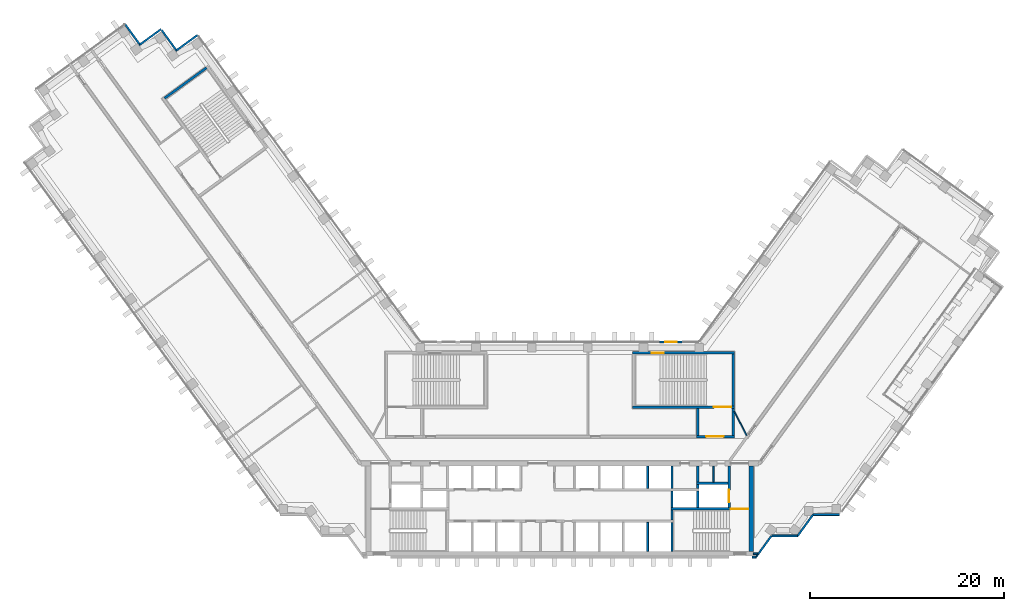
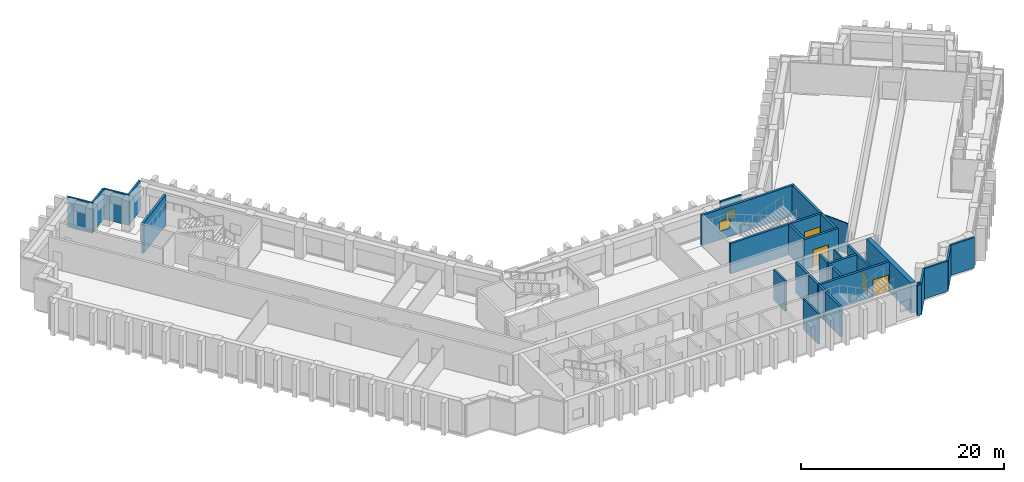
# One storey, part 9 of 14: 33 walls, 4 doors, 2 windows, 6 openings.
"""IFC4 building model written with IfcOpenShell, lengths in metres."""

from ifc_helpers import new_model, si_unit, direction, frame, frame_2d, origin, place, context, subcontext, project, spatial, rectangle, extrude, material, layer, layer_set, type_object, element, fill, save


model = new_model("IFC4")

# Units and contexts
model_context = context("Model", 3, precision=1e-05, world=origin(), true_north=direction((0.0, 1.0)))
body_context = subcontext(model_context, "Body", "Model", "MODEL_VIEW")
ifc_project = project(units=[si_unit("LENGTHUNIT", "METRE"), si_unit("AREAUNIT", "SQUARE_METRE"), si_unit("VOLUMEUNIT", "CUBIC_METRE"), si_unit("PLANEANGLEUNIT", "RADIAN"), si_unit("MASSUNIT", "GRAM", prefix="KILO")], contexts=[model_context])

# Site, building, storey
site_placement = place(None, origin())
site = spatial("IfcSite", under=ifc_project, at=site_placement, CompositionType="ELEMENT")
building_placement = place(site_placement, origin())
building = spatial("IfcBuilding", under=site, at=building_placement, Name="Quipu Civic Tower", CompositionType="ELEMENT")
storey_placement = place(building_placement, frame((0.0, 0.0, 93.0)))
storey = spatial("IfcBuildingStorey", under=building, at=storey_placement, Name="L21", CompositionType="ELEMENT", Elevation=93.0)

# Walls
ifc_material_1 = material(Name="Concrete C70/85", Category="concrete")
ifc_layer_1 = layer(ifc_material_1, 0.25)
ifc_layer_set_1 = layer_set([ifc_layer_1], Name="Concrete C70/85")
wall_type_1 = type_object("IfcWallType", Name="Core wall 250", PredefinedType="SHEAR", material=ifc_layer_set_1)
wall_1_placement = place(storey_placement, frame((11.574951171875, -10.5, 0.0), z_axis=(0.0, 0.0, 1.0), x_axis=(0.0, 1.0, 0.0)))
element("IfcWall", 1, at=wall_1_placement, inside=storey, type_object=wall_type_1, Name="Core wall", PredefinedType="SHEAR", context=body_context, shape_type="SweptSolid", body=[
    extrude(rectangle(XDim=3.0, YDim=0.25, at=frame_2d((1.5, 0.0))), origin(), (0.0, 0.0, 1.0), 3.64990234375),
])
wall_2_placement = place(storey_placement, frame((11.574951171875, -7.25, 0.0), z_axis=(0.0, 0.0, 1.0), x_axis=(0.0, 1.0, 0.0)))
element("IfcWall", 2, at=wall_2_placement, inside=storey, type_object=wall_type_1, Name="Core wall", PredefinedType="SHEAR", context=body_context, shape_type="SweptSolid", body=[
    extrude(rectangle(XDim=1.0, YDim=0.25, at=frame_2d((0.5, 0.0))), origin(), (0.0, 0.0, 1.0), 3.64990234375),
])

# Wall, opening, door
wall_3_placement = place(storey_placement, frame((19.5, -6.125, 0.0), z_axis=(0.0, 0.0, 1.0), x_axis=(-1.0, 0.0, 0.0)))
wall_3 = element("IfcWall", 3, at=wall_3_placement, inside=storey, type_object=wall_type_1, Name="Core wall", PredefinedType="SHEAR", context=body_context, shape_type="SweptSolid", body=[
    extrude(rectangle(XDim=8.050048828125, YDim=0.25, at=frame_2d((4.02490234375, 0.0))), origin(), (0.0, 0.0, 1.0), 3.64990234375),
])
opening_1_placement = place(wall_3_placement, frame((0.050048828125, 0.0, 0.0)))
opening_1 = element("IfcOpeningElement", 4, at=opening_1_placement, cuts=wall_3, Name="Opening CD-05", PredefinedType="OPENING", context=body_context, shape_type="SweptSolid", body=[
    extrude(rectangle(XDim=1.800048828125, YDim=2.10009765625, at=frame_2d((0.89990234375, 1.050048828125))), frame((0.0, 0.135009765625, 0.0), z_axis=(0.0, -1.0, 0.0), x_axis=(1.0, 0.0, 0.0)), (0.0, 0.0, 1.0), 0.27001953125),
])
ifc_material_2 = material(Name="Fire rated steel door", Category="steel")
door_type_1 = type_object("IfcDoorType", Name="Fire door FD90 double 1800 x 2100", OperationType="NOTDEFINED", PredefinedType="DOOR", material=ifc_material_2)
door_1_placement = place(opening_1_placement, origin())
door_1 = element("IfcDoor", 5, at=door_1_placement, inside=storey, type_object=door_type_1, Name="Door", OperationType="DOUBLE_DOOR_SINGLE_SWING", OverallHeight=2.10009765625, OverallWidth=1.800048828125, PredefinedType="DOOR", context=body_context, shape_type="SweptSolid", body=[
    extrude(rectangle(XDim=1.800048828125, YDim=2.10009765625, at=frame_2d((0.89990234375, 1.050048828125))), frame((0.0, 0.02490234375, 0.0), z_axis=(0.0, -1.0, 0.0), x_axis=(1.0, 0.0, 0.0)), (0.0, 0.0, 1.0), 0.050048828125),
])
fill(opening_1, door_1)

# Walls
for number, where, z_axis, x_axis, name in (
    (6, (11.574951171875, -6.0, 0.0), (0.0, 0.0, 1.0), (0.0, 1.0, 0.0), "Core wall"),
    (7, (14.22509765625, -6.0, 0.0), (0.0, 0.0, 1.0), (0.0, 1.0, 0.0), "Core wall"),
):
    element("IfcWall", number, at=place(storey_placement, frame(where, z_axis=z_axis, x_axis=x_axis)), inside=storey, type_object=wall_type_1, Name=name, PredefinedType="SHEAR", context=body_context, shape_type="SweptSolid", body=[
        extrude(rectangle(XDim=1.75, YDim=0.25, at=frame_2d((0.875, 0.0))), origin(), (0.0, 0.0, 1.0), 3.64990234375),
    ])

# Wall, opening, door
wall_4_placement = place(storey_placement, frame((17.47509765625, -6.0, 0.0), z_axis=(0.0, 0.0, 1.0), x_axis=(0.0, 1.0, 0.0)))
wall_4 = element("IfcWall", 8, at=wall_4_placement, inside=storey, type_object=wall_type_1, Name="Core wall", PredefinedType="SHEAR", context=body_context, shape_type="SweptSolid", body=[
    extrude(rectangle(XDim=4.300048828125, YDim=0.25, at=frame_2d((2.14990234375, 0.0))), origin(), (0.0, 0.0, 1.0), 3.64990234375),
])
opening_2_placement = place(wall_4_placement, frame((0.550048828125, 0.0, 0.0)))
opening_2 = element("IfcOpeningElement", 9, at=opening_2_placement, cuts=wall_4, Name="Opening LD-FF2", PredefinedType="OPENING", context=body_context, shape_type="SweptSolid", body=[
    extrude(rectangle(XDim=1.300048828125, YDim=2.10009765625, at=frame_2d((0.64990234375, 1.050048828125))), frame((0.0, 0.135009765625, 0.0), z_axis=(0.0, -1.0, 0.0), x_axis=(1.0, 0.0, 0.0)), (0.0, 0.0, 1.0), 0.27001953125),
])
ifc_material_3 = material(Name="Stainless steel", Category="steel")
door_type_2 = type_object("IfcDoorType", Name="Lift landing door 1300 x 2100", OperationType="DOUBLE_DOOR_SLIDING", PredefinedType="DOOR", material=ifc_material_3)
door_2_placement = place(opening_2_placement, origin())
door_2 = element("IfcDoor", 10, at=door_2_placement, inside=storey, type_object=door_type_2, Name="Landing door FF2", OperationType="DOUBLE_DOOR_SLIDING", OverallHeight=2.10009765625, OverallWidth=1.300048828125, PredefinedType="DOOR", context=body_context, shape_type="SweptSolid", body=[
    extrude(rectangle(XDim=1.300048828125, YDim=2.10009765625, at=frame_2d((0.64990234375, 1.050048828125))), frame((0.0, 0.02490234375, 0.0), z_axis=(0.0, -1.0, 0.0), x_axis=(1.0, 0.0, 0.0)), (0.0, 0.0, 1.0), 0.050048828125),
])
fill(opening_2, door_2)

# Walls
wall_5_placement = place(storey_placement, frame((11.574951171875, -4.0, 0.0), z_axis=(0.0, 0.0, 1.0), x_axis=(0.0, 1.0, 0.0)))
element("IfcWall", 11, at=wall_5_placement, inside=storey, type_object=wall_type_1, Name="Core wall", PredefinedType="SHEAR", context=body_context, shape_type="SweptSolid", body=[
    extrude(rectangle(XDim=2.300048828125, YDim=0.25, at=frame_2d((1.14990234375, 0.0))), origin(), (0.0, 0.0, 1.0), 3.64990234375),
])
wall_6_placement = place(storey_placement, frame((14.22509765625, -4.0, 0.0), z_axis=(0.0, 0.0, 1.0), x_axis=(0.0, 1.0, 0.0)))
element("IfcWall", 12, at=wall_6_placement, inside=storey, type_object=wall_type_1, Name="Core wall", PredefinedType="SHEAR", context=body_context, shape_type="SweptSolid", body=[
    extrude(rectangle(XDim=0.39990234375, YDim=0.25, at=frame_2d((0.199951171875, 0.0))), origin(), (0.0, 0.0, 1.0), 3.64990234375),
])
wall_7_placement = place(storey_placement, frame((14.10009765625, -3.47509765625, 0.0), z_axis=(0.0, 0.0, 1.0), x_axis=(1.0, 0.0, 0.0)))
element("IfcWall", 13, at=wall_7_placement, inside=storey, type_object=wall_type_1, Name="Core wall", PredefinedType="SHEAR", context=body_context, shape_type="SweptSolid", body=[
    extrude(rectangle(XDim=3.25, YDim=0.25, at=frame_2d((1.625, 0.0))), origin(), (0.0, 0.0, 1.0), 3.64990234375),
])
wall_8_placement = place(storey_placement, frame((14.22509765625, -3.35009765625, 0.0), z_axis=(0.0, 0.0, 1.0), x_axis=(0.0, 1.0, 0.0)))
element("IfcWall", 14, at=wall_8_placement, inside=storey, type_object=wall_type_1, Name="Core wall", PredefinedType="SHEAR", context=body_context, shape_type="SweptSolid", body=[
    extrude(rectangle(XDim=1.650146484375, YDim=0.25, at=frame_2d((0.8251953125, 0.0))), origin(), (0.0, 0.0, 1.0), 3.64990234375),
])

# Wall, opening, door
wall_9_placement = place(storey_placement, frame((14.10009765625, 1.324951171875, 0.0), z_axis=(0.0, 0.0, 1.0), x_axis=(1.0, 0.0, 0.0)))
wall_9 = element("IfcWall", 15, at=wall_9_placement, inside=storey, type_object=wall_type_1, Name="Core wall", PredefinedType="SHEAR", context=body_context, shape_type="SweptSolid", body=[
    extrude(rectangle(XDim=3.89990234375, YDim=0.25, at=frame_2d((1.949951171875, 0.0))), origin(), (0.0, 0.0, 1.0), 3.64990234375),
])
opening_3_placement = place(wall_9_placement, frame((1.0, 0.0, 0.0)))
opening_3 = element("IfcOpeningElement", 16, at=opening_3_placement, cuts=wall_9, Name="Opening CD-17", PredefinedType="OPENING", context=body_context, shape_type="SweptSolid", body=[
    extrude(rectangle(XDim=1.800048828125, YDim=2.10009765625, at=frame_2d((0.89990234375, 1.050048828125))), frame((0.0, 0.135009765625, 0.0), z_axis=(0.0, -1.0, 0.0), x_axis=(1.0, 0.0, 0.0)), (0.0, 0.0, 1.0), 0.27001953125),
])
door_3_placement = place(opening_3_placement, origin())
door_3 = element("IfcDoor", 17, at=door_3_placement, inside=storey, type_object=door_type_1, Name="Lobby door", OperationType="DOUBLE_DOOR_SINGLE_SWING", OverallHeight=2.10009765625, OverallWidth=1.800048828125, PredefinedType="DOOR", context=body_context, shape_type="SweptSolid", body=[
    extrude(rectangle(XDim=1.800048828125, YDim=2.10009765625, at=frame_2d((0.89990234375, 1.050048828125))), frame((0.0, 0.02490234375, 0.0), z_axis=(0.0, -1.0, 0.0), x_axis=(1.0, 0.0, 0.0)), (0.0, 0.0, 1.0), 0.050048828125),
])
fill(opening_3, door_3)

# Walls
for number, where, z_axis, x_axis, name in (
    (18, (14.22509765625, 1.449951171875, 0.0), (0.0, 0.0, 1.0), (0.0, 1.0, 0.0), "Core wall"),
    (19, (17.875, 1.449951171875, 0.0), (0.0, 0.0, 1.0), (0.0, 1.0, 0.0), "Core wall"),
):
    element("IfcWall", number, at=place(storey_placement, frame(where, z_axis=z_axis, x_axis=x_axis)), inside=storey, type_object=wall_type_1, Name=name, PredefinedType="SHEAR", context=body_context, shape_type="SweptSolid", body=[
        extrude(rectangle(XDim=2.800048828125, YDim=0.25, at=frame_2d((1.39990234375, 0.0))), origin(), (0.0, 0.0, 1.0), 3.64990234375),
    ])

# Wall, opening, door
wall_10_placement = place(storey_placement, frame((7.5, 4.375, 0.0), z_axis=(0.0, 0.0, 1.0), x_axis=(1.0, 0.0, 0.0)))
wall_10 = element("IfcWall", 20, at=wall_10_placement, inside=storey, type_object=wall_type_1, Name="Core wall", PredefinedType="SHEAR", context=body_context, shape_type="SweptSolid", body=[
    extrude(rectangle(XDim=10.5, YDim=0.25, at=frame_2d((5.25, 0.0))), origin(), (0.0, 0.0, 1.0), 3.64990234375),
])
opening_4_placement = place(wall_10_placement, frame((8.39990234375, 0.0, 0.0)))
opening_4 = element("IfcOpeningElement", 21, at=opening_4_placement, cuts=wall_10, Name="Opening CD-18", PredefinedType="OPENING", context=body_context, shape_type="SweptSolid", body=[
    extrude(rectangle(XDim=1.800048828125, YDim=2.10009765625, at=frame_2d((0.89990234375, 1.050048828125))), frame((0.0, 0.135009765625, 0.0), z_axis=(0.0, -1.0, 0.0), x_axis=(1.0, 0.0, 0.0)), (0.0, 0.0, 1.0), 0.27001953125),
])
door_4_placement = place(opening_4_placement, origin())
door_4 = element("IfcDoor", 22, at=door_4_placement, inside=storey, type_object=door_type_1, Name="Door", OperationType="DOUBLE_DOOR_SINGLE_SWING", OverallHeight=2.10009765625, OverallWidth=1.800048828125, PredefinedType="DOOR", context=body_context, shape_type="SweptSolid", body=[
    extrude(rectangle(XDim=1.800048828125, YDim=2.10009765625, at=frame_2d((0.89990234375, 1.050048828125))), frame((0.0, 0.02490234375, 0.0), z_axis=(0.0, -1.0, 0.0), x_axis=(1.0, 0.0, 0.0)), (0.0, 0.0, 1.0), 0.050048828125),
])
fill(opening_4, door_4)

# Wall
wall_11_placement = place(storey_placement, frame((17.875, 4.5, 0.0), z_axis=(0.0, 0.0, 1.0), x_axis=(0.0, 1.0, 0.0)))
element("IfcWall", 23, at=wall_11_placement, inside=storey, type_object=wall_type_1, Name="Core wall", PredefinedType="SHEAR", context=body_context, shape_type="SweptSolid", body=[
    extrude(rectangle(XDim=5.35009765625, YDim=0.25, at=frame_2d((2.675048828125, 0.0))), origin(), (0.0, 0.0, 1.0), 3.64990234375),
])

# Wall, opening, window
wall_12_placement = place(storey_placement, frame((7.5, 9.97509765625, 0.0), z_axis=(0.0, 0.0, 1.0), x_axis=(1.0, 0.0, 0.0)))
wall_12 = element("IfcWall", 24, at=wall_12_placement, inside=storey, type_object=wall_type_1, Name="Core wall", PredefinedType="SHEAR", context=body_context, shape_type="SweptSolid", body=[
    extrude(rectangle(XDim=10.5, YDim=0.25, at=frame_2d((5.25, 0.0))), origin(), (0.0, 0.0, 1.0), 3.64990234375),
])
opening_5_placement = place(wall_12_placement, frame((2.0, 0.0, 1.0)))
opening_5 = element("IfcOpeningElement", 25, at=opening_5_placement, cuts=wall_12, Name="Opening SV-4", PredefinedType="OPENING", context=body_context, shape_type="SweptSolid", body=[
    extrude(rectangle(XDim=1.199951171875, YDim=1.199951171875, at=frame_2d((0.60009765625, 0.60009765625))), frame((0.0, 0.135009765625, 0.0), z_axis=(0.0, -1.0, 0.0), x_axis=(1.0, 0.0, 0.0)), (0.0, 0.0, 1.0), 0.27001953125),
])
ifc_material_4 = material(Name="Aluminium louvre", Category="aluminium")
window_type_1 = type_object("IfcWindowType", Name="Stair ventilation louvre 1200 x 1200", PartitioningType="SINGLE_PANEL", PredefinedType="WINDOW", material=ifc_material_4)
window_1_placement = place(opening_5_placement, origin())
window_1 = element("IfcWindow", 26, at=window_1_placement, inside=storey, type_object=window_type_1, Name="Stair ventilation opening", OverallHeight=1.199951171875, OverallWidth=1.199951171875, PartitioningType="SINGLE_PANEL", PredefinedType="WINDOW", context=body_context, shape_type="SweptSolid", body=[
    extrude(rectangle(XDim=1.199951171875, YDim=1.199951171875, at=frame_2d((0.60009765625, 0.60009765625))), frame((0.0, 0.030029296875, 0.0), z_axis=(0.0, -1.0, 0.0), x_axis=(1.0, 0.0, 0.0)), (0.0, 0.0, 1.0), 0.06005859375),
])
fill(opening_5, window_1)

# Walls
wall_13_placement = place(storey_placement, frame((-36.43896484375, 39.384033203125, 0.0), z_axis=(0.0, 0.0, 1.0), x_axis=(-0.809020161303, -0.587780893365, 0.0)))
element("IfcWall", 27, at=wall_13_placement, inside=storey, type_object=wall_type_1, Name="Core wall", PredefinedType="SHEAR", context=body_context, shape_type="SweptSolid", body=[
    extrude(rectangle(XDim=5.349853515625, YDim=0.25, at=frame_2d((2.6748046875, 0.0))), origin(), (0.0, 0.0, 1.0), 3.64990234375),
])
ifc_material_5 = material(Name="Concrete C70/85", Category="concrete")
ifc_layer_2 = layer(ifc_material_5, 0.5)
ifc_layer_set_2 = layer_set([ifc_layer_2], Name="Concrete C70/85")
wall_type_2 = type_object("IfcWallType", Name="Core wall 500", PredefinedType="SHEAR", material=ifc_layer_set_2)
wall_14_placement = place(storey_placement, frame((19.75, -10.5, 0.0), z_axis=(0.0, 0.0, 1.0), x_axis=(0.0, 1.0, 0.0)))
element("IfcWall", 28, at=wall_14_placement, inside=storey, type_object=wall_type_2, Name="Core wall", PredefinedType="SHEAR", context=body_context, shape_type="SweptSolid", body=[
    extrude(rectangle(XDim=8.800048828125, YDim=0.5, at=frame_2d((4.39990234375, 0.0))), origin(), (0.0, 0.0, 1.0), 3.64990234375),
])
ifc_material_6 = material(Name="Gypsum plasterboard on light gauge framing")
ifc_layer_3 = layer(ifc_material_6, 0.1201171875)
ifc_layer_set_3 = layer_set([ifc_layer_3], Name="Gypsum plasterboard on light gauge framing")
wall_type_3 = type_object("IfcWallType", Name="Partition 120 plasterboard", PredefinedType="PARTITIONING", material=ifc_layer_set_3)
wall_15_placement = place(storey_placement, frame((18.0, 3.925048828125, 0.0), z_axis=(0.0, 0.0, 1.0), x_axis=(0.453950796792, -0.891026752736, 0.0)))
element("IfcWall", 29, at=wall_15_placement, inside=storey, type_object=wall_type_3, Name="Partition P11", PredefinedType="PARTITIONING", context=body_context, shape_type="SweptSolid", body=[
    extrude(rectangle(XDim=2.77783203125, YDim=0.1201171875, at=frame_2d((1.388916015625, 0.0))), origin(), (0.0, 0.0, 1.0), 3.64990234375),
])
ifc_material_7 = material(Name="Gypsum board partition")
ifc_layer_4 = layer(ifc_material_7, 0.14990234375)
ifc_layer_set_4 = layer_set([ifc_layer_4], Name="Gypsum board partition")
wall_type_4 = type_object("IfcWallType", Name="Partition 150", PredefinedType="PARTITIONING", material=ifc_layer_set_4)
wall_16_placement = place(storey_placement, frame((15.85009765625, -3.35009765625, 0.0), z_axis=(0.0, 0.0, 1.0), x_axis=(0.0, 1.0, 0.0)))
element("IfcWall", 30, at=wall_16_placement, inside=storey, type_object=wall_type_4, Name="Partition", PredefinedType="PARTITIONING", context=body_context, shape_type="SweptSolid", body=[
    extrude(rectangle(XDim=1.650146484375, YDim=0.14990234375, at=frame_2d((0.8251953125, 0.0))), origin(), (0.0, 0.0, 1.0), 3.64990234375),
])

# Wall, opening, window
ifc_material_8 = material(Name="Precast concrete C40/50", Category="concrete")
wall_type_5 = type_object("IfcWallType", Name="Precast cladding wall", PredefinedType="SOLIDWALL", material=ifc_material_8)
wall_17_placement = place(storey_placement, frame((12.655029296875, 11.10009765625, 0.0), z_axis=(0.0, 0.0, 1.0), x_axis=(-1.0, 0.0, 0.0)))
wall_17 = element("IfcWall", 31, at=wall_17_placement, inside=storey, type_object=wall_type_5, Name="Vent surround SF-L19-2", PredefinedType="SOLIDWALL", context=body_context, shape_type="SweptSolid", body=[
    extrude(rectangle(XDim=2.3916015625, YDim=0.199951171875, at=frame_2d((1.19580078125, 0.0))), origin(), (0.0, 0.0, 1.0), 3.64990234375),
])
opening_6_placement = place(wall_17_placement, frame((0.595703125, 0.0, 1.0)))
opening_6 = element("IfcOpeningElement", 32, at=opening_6_placement, cuts=wall_17, Name="Opening SF-L19-2", PredefinedType="OPENING", context=body_context, shape_type="SweptSolid", body=[
    extrude(rectangle(XDim=1.199951171875, YDim=1.199951171875, at=frame_2d((0.60009765625, 0.60009765625))), frame((0.0, 0.10986328125, 0.0), z_axis=(0.0, -1.0, 0.0), x_axis=(1.0, 0.0, 0.0)), (0.0, 0.0, 1.0), 0.219970703125),
])
ifc_material_9 = material(Name="Anodised aluminium louvre", Category="aluminium")
window_type_2 = type_object("IfcWindowType", Name="Stair vent louvre window P3", PartitioningType="SINGLE_PANEL", PredefinedType="WINDOW", material=ifc_material_9)
window_2_placement = place(opening_6_placement, origin())
window_2 = element("IfcWindow", 33, at=window_2_placement, inside=storey, type_object=window_type_2, Name="Stair vent louvre SF-L19-2", OverallHeight=1.199951171875, OverallWidth=1.199951171875, PartitioningType="SINGLE_PANEL", PredefinedType="WINDOW", context=body_context, shape_type="SweptSolid", body=[
    extrude(rectangle(XDim=1.199951171875, YDim=1.199951171875, at=frame_2d((0.60009765625, 0.60009765625))), frame((0.0, 0.030029296875, 0.0), z_axis=(0.0, -1.0, 0.0), x_axis=(1.0, 0.0, 0.0)), (0.0, 0.0, 1.0), 0.06005859375),
])
fill(opening_6, window_2)

# Walls
wall_18_placement = place(storey_placement, frame((-37.352783203125, 42.768310546875, 0.0), z_axis=(0.0, 0.0, 1.0), x_axis=(-0.809033161865, -0.587762999008, 0.0)))
element("IfcWall", 34, at=wall_18_placement, inside=storey, type_object=wall_type_5, Name="Precast cladding wall L21 P14", PredefinedType="SOLIDWALL", context=body_context, shape_type="SweptSolid", body=[
    extrude(rectangle(XDim=2.699951171875, YDim=0.199951171875, at=frame_2d((1.35009765625, 0.0))), origin(), (0.0, 0.0, 1.0), 3.64990234375),
])
wall_19_placement = place(storey_placement, frame((-39.488037109375, 41.093505859375, 0.0), z_axis=(0.0, 0.0, 1.0), x_axis=(-0.587806000234, 0.809001919707, 0.0)))
element("IfcWall", 35, at=wall_19_placement, inside=storey, type_object=wall_type_5, Name="Precast cladding wall L21 P15", PredefinedType="SOLIDWALL", context=body_context, shape_type="SweptSolid", body=[
    extrude(rectangle(XDim=2.69970703125, YDim=0.199951171875, at=frame_2d((1.349853515625, 0.0))), origin(), (0.0, 0.0, 1.0), 3.64990234375),
])
for number, where, z_axis, x_axis, name in (
    (36, (-41.1240234375, 43.36572265625, 0.0), (0.0, 0.0, 1.0), (-0.809033161865, -0.587762999008, 0.0), "Precast cladding wall L21 P16"),
    (37, (-43.25927734375, 41.690673828125, 0.0), (0.0, 0.0, 1.0), (-0.587822180636, 0.808990163075, 0.0), "Precast cladding wall L21 P17"),
):
    element("IfcWall", number, at=place(storey_placement, frame(where, z_axis=z_axis, x_axis=x_axis)), inside=storey, type_object=wall_type_5, Name=name, PredefinedType="SOLIDWALL", context=body_context, shape_type="SweptSolid", body=[
        extrude(rectangle(XDim=2.699951171875, YDim=0.199951171875, at=frame_2d((1.35009765625, 0.0))), origin(), (0.0, 0.0, 1.0), 3.64990234375),
    ])
wall_20_placement = place(storey_placement, frame((19.85009765625, -11.087890625, 0.0), z_axis=(0.0, 0.0, 1.0), x_axis=(1.0, 0.0, 0.0)))
element("IfcWall", 38, at=wall_20_placement, inside=storey, type_object=wall_type_5, Name="Precast cladding wall L21 P31", PredefinedType="SOLIDWALL", context=body_context, shape_type="SweptSolid", body=[
    extrude(rectangle(XDim=0.40576171875, YDim=0.199951171875, at=frame_2d((0.202880859375, 0.0))), origin(), (0.0, 0.0, 1.0), 3.64990234375),
])
wall_21_placement = place(storey_placement, frame((20.253173828125, -11.083251953125, 0.0), z_axis=(0.0, 0.0, 1.0), x_axis=(0.587766567315, 0.809030569476, 0.0)))
element("IfcWall", 39, at=wall_21_placement, inside=storey, type_object=wall_type_5, Name="Precast cladding wall L21 P32", PredefinedType="SOLIDWALL", context=body_context, shape_type="SweptSolid", body=[
    extrude(rectangle(XDim=2.687744140625, YDim=0.199951171875, at=frame_2d((1.34375, 0.0))), origin(), (0.0, 0.0, 1.0), 3.64990234375),
])
wall_22_placement = place(storey_placement, frame((21.8427734375, -8.90380859375, 0.0), z_axis=(0.0, 0.0, 1.0), x_axis=(1.0, 0.0, 0.0)))
element("IfcWall", 40, at=wall_22_placement, inside=storey, type_object=wall_type_5, Name="Precast cladding wall L21 P33", PredefinedType="SOLIDWALL", context=body_context, shape_type="SweptSolid", body=[
    extrude(rectangle(XDim=2.699951171875, YDim=0.199951171875, at=frame_2d((1.35009765625, 0.0))), origin(), (0.0, 0.0, 1.0), 3.64990234375),
])
wall_23_placement = place(storey_placement, frame((24.533203125, -8.90869140625, 0.0), z_axis=(0.0, 0.0, 1.0), x_axis=(0.587720002413, 0.809064397168, 0.0)))
element("IfcWall", 41, at=wall_23_placement, inside=storey, type_object=wall_type_5, Name="Precast cladding wall L21 P34", PredefinedType="SOLIDWALL", context=body_context, shape_type="SweptSolid", body=[
    extrude(rectangle(XDim=2.7001953125, YDim=0.199951171875, at=frame_2d((1.35009765625, 0.0))), origin(), (0.0, 0.0, 1.0), 3.64990234375),
])
wall_24_placement = place(storey_placement, frame((26.1298828125, -6.71923828125, 0.0), z_axis=(0.0, 0.0, 1.0), x_axis=(1.0, 0.0, 0.0)))
element("IfcWall", 42, at=wall_24_placement, inside=storey, type_object=wall_type_5, Name="Precast cladding wall L21 P35", PredefinedType="SOLIDWALL", context=body_context, shape_type="SweptSolid", body=[
    extrude(rectangle(XDim=2.699951171875, YDim=0.199951171875, at=frame_2d((1.35009765625, 0.0))), origin(), (0.0, 0.0, 1.0), 3.64990234375),
])
wall_25_placement = place(storey_placement, frame((19.97998046875, -10.75, 0.0), z_axis=(0.0, 0.0, 1.0), x_axis=(1.0, 0.0, 0.0)))
element("IfcWall", 43, at=wall_25_placement, inside=storey, type_object=wall_type_5, Name="Precast cladding return L21 E", PredefinedType="SOLIDWALL", context=body_context, shape_type="SweptSolid", body=[
    extrude(rectangle(XDim=0.41650390625, YDim=0.199951171875, at=frame_2d((0.208251953125, 0.0))), origin(), (0.0, 0.0, 1.0), 3.64990234375),
])
ifc_material_10 = material(Name="Concrete C40/50", Category="concrete")
ifc_layer_5 = layer(ifc_material_10, 0.199951171875)
ifc_layer_set_5 = layer_set([ifc_layer_5], Name="Concrete C40/50")
wall_type_6 = type_object("IfcWallType", Name="Shaft wall 200", PredefinedType="SOLIDWALL", material=ifc_layer_set_5)
wall_26_placement = place(storey_placement, frame((9.050048828125, -10.5, 0.0), z_axis=(0.0, 0.0, 1.0), x_axis=(0.0, 1.0, 0.0)))
element("IfcWall", 44, at=wall_26_placement, inside=storey, type_object=wall_type_6, Name="Shaft wall", PredefinedType="SOLIDWALL", context=body_context, shape_type="SweptSolid", body=[
    extrude(rectangle(XDim=3.0, YDim=0.199951171875, at=frame_2d((1.5, 0.0))), origin(), (0.0, 0.0, 1.0), 3.64990234375),
])
wall_27_placement = place(storey_placement, frame((9.050048828125, -4.0, 0.0), z_axis=(0.0, 0.0, 1.0), x_axis=(0.0, 1.0, 0.0)))
element("IfcWall", 45, at=wall_27_placement, inside=storey, type_object=wall_type_6, Name="Shaft wall", PredefinedType="SOLIDWALL", context=body_context, shape_type="SweptSolid", body=[
    extrude(rectangle(XDim=2.300048828125, YDim=0.199951171875, at=frame_2d((1.14990234375, 0.0))), origin(), (0.0, 0.0, 1.0), 3.64990234375),
])

save(model, "model.ifc")
